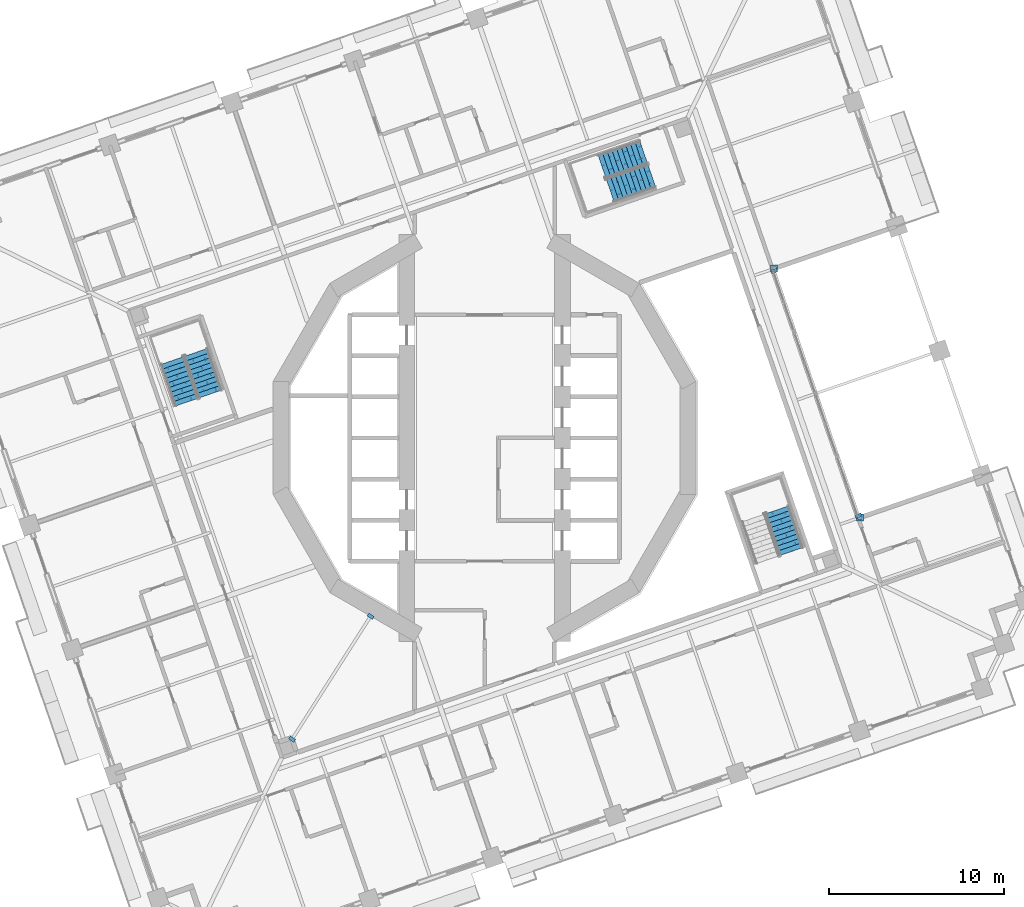
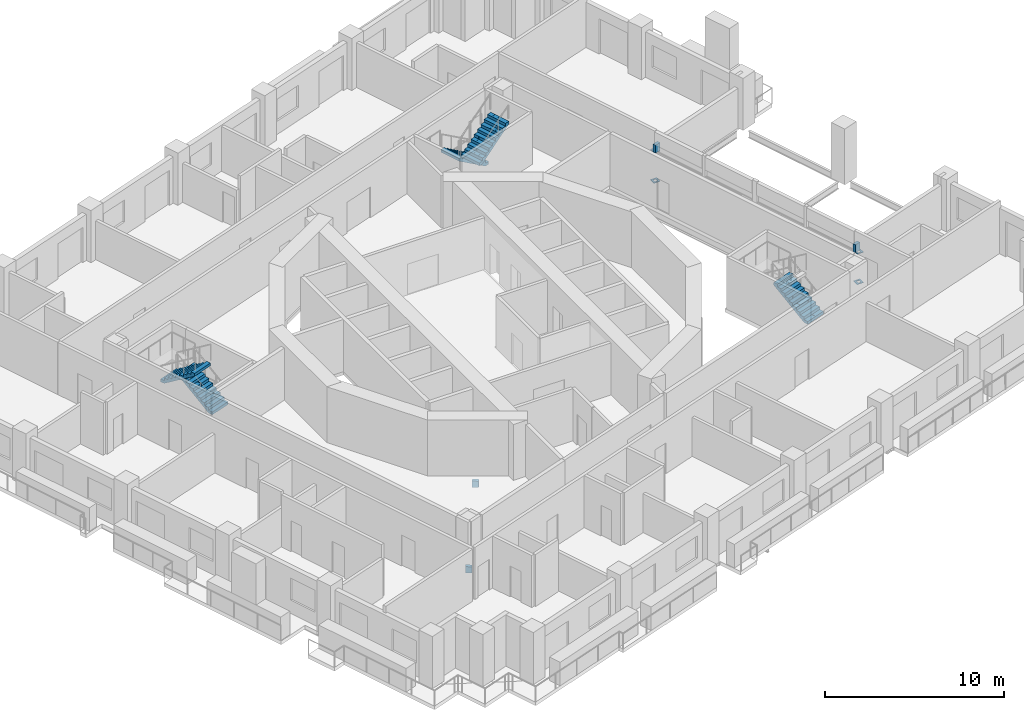
# One storey, part 14 of 21: 8 discrete accessories, 5 stair flights, 3 elements without a shape of their own.
"""IFC4 building model written with IfcOpenShell, lengths in metres."""

from ifc_helpers import new_model, si_unit, direction, frame, origin, place, context, subcontext, project, spatial, polyline, outline, extrude, material, layer, layer_set, type_object, element, aggregate, save


model = new_model("IFC4")

# Units and contexts
model_context = context("Model", 3, precision=1e-05, world=origin(), true_north=direction((0.0, 1.0)))
body_context = subcontext(model_context, "Body", "Model", "MODEL_VIEW")
ifc_project = project(units=[si_unit("LENGTHUNIT", "METRE"), si_unit("AREAUNIT", "SQUARE_METRE"), si_unit("VOLUMEUNIT", "CUBIC_METRE"), si_unit("PLANEANGLEUNIT", "RADIAN"), si_unit("MASSUNIT", "GRAM", prefix="KILO")], contexts=[model_context])

# Site, building, storey
site_placement = place(None, origin())
site = spatial("IfcSite", under=ifc_project, at=site_placement, CompositionType="ELEMENT")
building_placement = place(site_placement, origin())
building = spatial("IfcBuilding", under=site, at=building_placement, Name="Cantera Rosa Tower", CompositionType="ELEMENT")
storey_placement = place(building_placement, frame((0.0, 0.0, 119.300048828125)))
storey = spatial("IfcBuildingStorey", under=building, at=storey_placement, Name="L24", CompositionType="ELEMENT", Elevation=119.300048828125)

# Stair, stair flights
ifc_material_1 = material(Name="Concrete C35/45", Category="concrete")
stair_type = type_object("IfcStairType", Name="EXIT STAIR 1350 DOGLEG", PredefinedType="HALF_TURN_STAIR", material=ifc_material_1)
stair_1_placement = place(storey_placement, origin())
stair_1 = element("IfcStair", 1, at=stair_1_placement, inside=storey, type_object=stair_type, Name="L24 ST-21", PredefinedType="HALF_TURN_STAIR")
ifc_material_2 = material(Name="Concrete C35/45", Category="concrete")
stair_flight_type = type_object("IfcStairFlightType", Name="STAIR FLIGHT 1350 R20x190", PredefinedType="STRAIGHT", material=ifc_material_2)
stair_flight_1_placement = place(storey_placement, frame((9.07958984375, 16.364990234375, 0.0), z_axis=(0.0, 0.0, 1.0), x_axis=(-0.945518575599, -0.325568154457, 0.0)))
stair_flight_1 = element("IfcStairFlight", 2, at=stair_flight_1_placement, type_object=stair_flight_type, Name="ST-21 flight 1", NumberOfRisers=10, NumberOfTreads=9, PredefinedType="STRAIGHT", RiserHeight=0.19, TreadLength=0.28, context=body_context, shape_type="SweptSolid", body=[
    extrude(outline(polyline([(0.0, 0.0), (0.0, 0.18994140625), (0.280029296875, 0.18994140625), (0.280029296875, 0.3798828125), (0.56005859375, 0.3798828125), (0.56005859375, 0.570068359375), (0.840087890625, 0.570068359375), (0.840087890625, 0.760009765625), (1.1201171875, 0.760009765625), (1.1201171875, 0.949951171875), (1.39990234375, 0.949951171875), (1.39990234375, 1.139892578125), (1.679931640625, 1.139892578125), (1.679931640625, 1.330078125), (1.9599609375, 1.330078125), (1.9599609375, 1.52001953125), (2.239990234375, 1.52001953125), (2.239990234375, 1.7099609375), (2.52001953125, 1.7099609375), (2.52001953125, 1.89990234375), (2.52001953125, 1.52880859375), (0.266845703125, 0.0), (0.0, 0.0)])), frame((0.0, 0.675048828125, 0.0), z_axis=(0.0, -1.0, 0.0), x_axis=(1.0, 0.0, 0.0)), (0.0, 0.0, 1.0), 0.3359375),
    extrude(outline(polyline([(0.0, 0.0), (0.0, 0.18994140625), (0.280029296875, 0.18994140625), (0.280029296875, 0.3798828125), (0.56005859375, 0.3798828125), (0.56005859375, 0.570068359375), (0.840087890625, 0.570068359375), (0.840087890625, 0.760009765625), (1.1201171875, 0.760009765625), (1.1201171875, 0.949951171875), (1.39990234375, 0.949951171875), (1.39990234375, 1.139892578125), (1.679931640625, 1.139892578125), (1.679931640625, 1.330078125), (1.9599609375, 1.330078125), (1.9599609375, 1.52001953125), (2.239990234375, 1.52001953125), (2.239990234375, 1.7099609375), (2.52001953125, 1.7099609375), (2.52001953125, 1.89990234375), (2.52001953125, 1.52880859375), (0.266845703125, 0.0), (0.0, 0.0)])), frame((0.0, 0.337158203125, 0.0), z_axis=(0.0, -1.0, 0.0), x_axis=(1.0, 0.0, 0.0)), (0.0, 0.0, 1.0), 0.3359375),
    extrude(outline(polyline([(0.0, 0.0), (0.0, 0.18994140625), (0.280029296875, 0.18994140625), (0.280029296875, 0.3798828125), (0.56005859375, 0.3798828125), (0.56005859375, 0.570068359375), (0.840087890625, 0.570068359375), (0.840087890625, 0.760009765625), (1.1201171875, 0.760009765625), (1.1201171875, 0.949951171875), (1.39990234375, 0.949951171875), (1.39990234375, 1.139892578125), (1.679931640625, 1.139892578125), (1.679931640625, 1.330078125), (1.9599609375, 1.330078125), (1.9599609375, 1.52001953125), (2.239990234375, 1.52001953125), (2.239990234375, 1.7099609375), (2.52001953125, 1.7099609375), (2.52001953125, 1.89990234375), (2.52001953125, 1.52880859375), (0.266845703125, 0.0), (0.0, 0.0)])), frame((0.0, -0.000732421875, 0.0), z_axis=(0.0, -1.0, 0.0), x_axis=(1.0, 0.0, 0.0)), (0.0, 0.0, 1.0), 0.3359375),
    extrude(outline(polyline([(0.0, 0.0), (0.0, 0.18994140625), (0.280029296875, 0.18994140625), (0.280029296875, 0.3798828125), (0.56005859375, 0.3798828125), (0.56005859375, 0.570068359375), (0.840087890625, 0.570068359375), (0.840087890625, 0.760009765625), (1.1201171875, 0.760009765625), (1.1201171875, 0.949951171875), (1.39990234375, 0.949951171875), (1.39990234375, 1.139892578125), (1.679931640625, 1.139892578125), (1.679931640625, 1.330078125), (1.9599609375, 1.330078125), (1.9599609375, 1.52001953125), (2.239990234375, 1.52001953125), (2.239990234375, 1.7099609375), (2.52001953125, 1.7099609375), (2.52001953125, 1.89990234375), (2.52001953125, 1.52880859375), (0.266845703125, 0.0), (0.0, 0.0)])), frame((0.0, -0.338623046875, 0.0), z_axis=(0.0, -1.0, 0.0), x_axis=(1.0, 0.0, 0.0)), (0.0, 0.0, 1.0), 0.3359375),
])
stair_flight_2_placement = place(storey_placement, frame((7.185302734375, 14.126220703125, 1.89990234375), z_axis=(0.0, 0.0, 1.0), x_axis=(0.945518575599, 0.325568154457, 0.0)))
stair_flight_2 = element("IfcStairFlight", 3, at=stair_flight_2_placement, type_object=stair_flight_type, Name="ST-21 flight 2", NumberOfRisers=10, NumberOfTreads=9, PredefinedType="STRAIGHT", RiserHeight=0.19, TreadLength=0.28, context=body_context, shape_type="SweptSolid", body=[
    extrude(outline(polyline([(0.0, 0.0), (0.0, 0.18994140625), (0.280029296875, 0.18994140625), (0.280029296875, 0.3798828125), (0.56005859375, 0.3798828125), (0.56005859375, 0.570068359375), (0.840087890625, 0.570068359375), (0.840087890625, 0.760009765625), (1.1201171875, 0.760009765625), (1.1201171875, 0.949951171875), (1.39990234375, 0.949951171875), (1.39990234375, 1.139892578125), (1.679931640625, 1.139892578125), (1.679931640625, 1.330078125), (1.9599609375, 1.330078125), (1.9599609375, 1.52001953125), (2.239990234375, 1.52001953125), (2.239990234375, 1.7099609375), (2.52001953125, 1.7099609375), (2.52001953125, 1.89990234375), (2.52001953125, 1.52880859375), (0.266845703125, 0.0), (0.0, 0.0)])), frame((0.0, 0.675048828125, 0.0), z_axis=(0.0, -1.0, 0.0), x_axis=(1.0, 0.0, 0.0)), (0.0, 0.0, 1.0), 0.3359375),
    extrude(outline(polyline([(0.0, 0.0), (0.0, 0.18994140625), (0.280029296875, 0.18994140625), (0.280029296875, 0.3798828125), (0.56005859375, 0.3798828125), (0.56005859375, 0.570068359375), (0.840087890625, 0.570068359375), (0.840087890625, 0.760009765625), (1.1201171875, 0.760009765625), (1.1201171875, 0.949951171875), (1.39990234375, 0.949951171875), (1.39990234375, 1.139892578125), (1.679931640625, 1.139892578125), (1.679931640625, 1.330078125), (1.9599609375, 1.330078125), (1.9599609375, 1.52001953125), (2.239990234375, 1.52001953125), (2.239990234375, 1.7099609375), (2.52001953125, 1.7099609375), (2.52001953125, 1.89990234375), (2.52001953125, 1.52880859375), (0.266845703125, 0.0), (0.0, 0.0)])), frame((0.0, 0.337158203125, 0.0), z_axis=(0.0, -1.0, 0.0), x_axis=(1.0, 0.0, 0.0)), (0.0, 0.0, 1.0), 0.3359375),
    extrude(outline(polyline([(0.0, 0.0), (0.0, 0.18994140625), (0.280029296875, 0.18994140625), (0.280029296875, 0.3798828125), (0.56005859375, 0.3798828125), (0.56005859375, 0.570068359375), (0.840087890625, 0.570068359375), (0.840087890625, 0.760009765625), (1.1201171875, 0.760009765625), (1.1201171875, 0.949951171875), (1.39990234375, 0.949951171875), (1.39990234375, 1.139892578125), (1.679931640625, 1.139892578125), (1.679931640625, 1.330078125), (1.9599609375, 1.330078125), (1.9599609375, 1.52001953125), (2.239990234375, 1.52001953125), (2.239990234375, 1.7099609375), (2.52001953125, 1.7099609375), (2.52001953125, 1.89990234375), (2.52001953125, 1.52880859375), (0.266845703125, 0.0), (0.0, 0.0)])), frame((0.0, -0.000732421875, 0.0), z_axis=(0.0, -1.0, 0.0), x_axis=(1.0, 0.0, 0.0)), (0.0, 0.0, 1.0), 0.3359375),
    extrude(outline(polyline([(0.0, 0.0), (0.0, 0.18994140625), (0.280029296875, 0.18994140625), (0.280029296875, 0.3798828125), (0.56005859375, 0.3798828125), (0.56005859375, 0.570068359375), (0.840087890625, 0.570068359375), (0.840087890625, 0.760009765625), (1.1201171875, 0.760009765625), (1.1201171875, 0.949951171875), (1.39990234375, 0.949951171875), (1.39990234375, 1.139892578125), (1.679931640625, 1.139892578125), (1.679931640625, 1.330078125), (1.9599609375, 1.330078125), (1.9599609375, 1.52001953125), (2.239990234375, 1.52001953125), (2.239990234375, 1.7099609375), (2.52001953125, 1.7099609375), (2.52001953125, 1.89990234375), (2.52001953125, 1.52880859375), (0.266845703125, 0.0), (0.0, 0.0)])), frame((0.0, -0.338623046875, 0.0), z_axis=(0.0, -1.0, 0.0), x_axis=(1.0, 0.0, 0.0)), (0.0, 0.0, 1.0), 0.3359375),
])
aggregate(stair_1, [stair_flight_1, stair_flight_2])

stair_2_placement = place(storey_placement, origin())
stair_2 = element("IfcStair", 4, at=stair_2_placement, inside=storey, type_object=stair_type, Name="L24 ST-22", PredefinedType="HALF_TURN_STAIR")
stair_flight_3_placement = place(storey_placement, frame((-15.635009765625, 2.5205078125, 0.0), z_axis=(0.0, 0.0, 1.0), x_axis=(-0.325568154457, 0.945518575599, 0.0)))
stair_flight_3 = element("IfcStairFlight", 5, at=stair_flight_3_placement, type_object=stair_flight_type, Name="ST-22 flight 1", NumberOfRisers=10, NumberOfTreads=9, PredefinedType="STRAIGHT", RiserHeight=0.19, TreadLength=0.28, context=body_context, shape_type="SweptSolid", body=[
    extrude(outline(polyline([(0.0, 0.0), (0.0, 0.18994140625), (0.280029296875, 0.18994140625), (0.280029296875, 0.3798828125), (0.56005859375, 0.3798828125), (0.56005859375, 0.570068359375), (0.840087890625, 0.570068359375), (0.840087890625, 0.760009765625), (1.1201171875, 0.760009765625), (1.1201171875, 0.949951171875), (1.39990234375, 0.949951171875), (1.39990234375, 1.139892578125), (1.679931640625, 1.139892578125), (1.679931640625, 1.330078125), (1.9599609375, 1.330078125), (1.9599609375, 1.52001953125), (2.239990234375, 1.52001953125), (2.239990234375, 1.7099609375), (2.52001953125, 1.7099609375), (2.52001953125, 1.89990234375), (2.52001953125, 1.52880859375), (0.266845703125, 0.0), (0.0, 0.0)])), frame((0.0, 0.675048828125, 0.0), z_axis=(0.0, -1.0, 0.0), x_axis=(1.0, 0.0, 0.0)), (0.0, 0.0, 1.0), 0.3359375),
    extrude(outline(polyline([(0.0, 0.0), (0.0, 0.18994140625), (0.280029296875, 0.18994140625), (0.280029296875, 0.3798828125), (0.56005859375, 0.3798828125), (0.56005859375, 0.570068359375), (0.840087890625, 0.570068359375), (0.840087890625, 0.760009765625), (1.1201171875, 0.760009765625), (1.1201171875, 0.949951171875), (1.39990234375, 0.949951171875), (1.39990234375, 1.139892578125), (1.679931640625, 1.139892578125), (1.679931640625, 1.330078125), (1.9599609375, 1.330078125), (1.9599609375, 1.52001953125), (2.239990234375, 1.52001953125), (2.239990234375, 1.7099609375), (2.52001953125, 1.7099609375), (2.52001953125, 1.89990234375), (2.52001953125, 1.52880859375), (0.266845703125, 0.0), (0.0, 0.0)])), frame((0.0, 0.337158203125, 0.0), z_axis=(0.0, -1.0, 0.0), x_axis=(1.0, 0.0, 0.0)), (0.0, 0.0, 1.0), 0.3359375),
    extrude(outline(polyline([(0.0, 0.0), (0.0, 0.18994140625), (0.280029296875, 0.18994140625), (0.280029296875, 0.3798828125), (0.56005859375, 0.3798828125), (0.56005859375, 0.570068359375), (0.840087890625, 0.570068359375), (0.840087890625, 0.760009765625), (1.1201171875, 0.760009765625), (1.1201171875, 0.949951171875), (1.39990234375, 0.949951171875), (1.39990234375, 1.139892578125), (1.679931640625, 1.139892578125), (1.679931640625, 1.330078125), (1.9599609375, 1.330078125), (1.9599609375, 1.52001953125), (2.239990234375, 1.52001953125), (2.239990234375, 1.7099609375), (2.52001953125, 1.7099609375), (2.52001953125, 1.89990234375), (2.52001953125, 1.52880859375), (0.266845703125, 0.0), (0.0, 0.0)])), frame((0.0, -0.000732421875, 0.0), z_axis=(0.0, -1.0, 0.0), x_axis=(1.0, 0.0, 0.0)), (0.0, 0.0, 1.0), 0.3359375),
    extrude(outline(polyline([(0.0, 0.0), (0.0, 0.18994140625), (0.280029296875, 0.18994140625), (0.280029296875, 0.3798828125), (0.56005859375, 0.3798828125), (0.56005859375, 0.570068359375), (0.840087890625, 0.570068359375), (0.840087890625, 0.760009765625), (1.1201171875, 0.760009765625), (1.1201171875, 0.949951171875), (1.39990234375, 0.949951171875), (1.39990234375, 1.139892578125), (1.679931640625, 1.139892578125), (1.679931640625, 1.330078125), (1.9599609375, 1.330078125), (1.9599609375, 1.52001953125), (2.239990234375, 1.52001953125), (2.239990234375, 1.7099609375), (2.52001953125, 1.7099609375), (2.52001953125, 1.89990234375), (2.52001953125, 1.52880859375), (0.266845703125, 0.0), (0.0, 0.0)])), frame((0.0, -0.338623046875, 0.0), z_axis=(0.0, -1.0, 0.0), x_axis=(1.0, 0.0, 0.0)), (0.0, 0.0, 1.0), 0.3359375),
])
stair_flight_4_placement = place(storey_placement, frame((-17.873779296875, 4.414794921875, 1.89990234375), z_axis=(0.0, 0.0, 1.0), x_axis=(0.325568154457, -0.945518575599, 0.0)))
stair_flight_4 = element("IfcStairFlight", 6, at=stair_flight_4_placement, type_object=stair_flight_type, Name="ST-22 flight 2", NumberOfRisers=10, NumberOfTreads=9, PredefinedType="STRAIGHT", RiserHeight=0.19, TreadLength=0.28, context=body_context, shape_type="SweptSolid", body=[
    extrude(outline(polyline([(0.0, 0.0), (0.0, 0.18994140625), (0.280029296875, 0.18994140625), (0.280029296875, 0.3798828125), (0.56005859375, 0.3798828125), (0.56005859375, 0.570068359375), (0.840087890625, 0.570068359375), (0.840087890625, 0.760009765625), (1.1201171875, 0.760009765625), (1.1201171875, 0.949951171875), (1.39990234375, 0.949951171875), (1.39990234375, 1.139892578125), (1.679931640625, 1.139892578125), (1.679931640625, 1.330078125), (1.9599609375, 1.330078125), (1.9599609375, 1.52001953125), (2.239990234375, 1.52001953125), (2.239990234375, 1.7099609375), (2.52001953125, 1.7099609375), (2.52001953125, 1.89990234375), (2.52001953125, 1.52880859375), (0.266845703125, 0.0), (0.0, 0.0)])), frame((0.0, 0.675048828125, 0.0), z_axis=(0.0, -1.0, 0.0), x_axis=(1.0, 0.0, 0.0)), (0.0, 0.0, 1.0), 0.3359375),
    extrude(outline(polyline([(0.0, 0.0), (0.0, 0.18994140625), (0.280029296875, 0.18994140625), (0.280029296875, 0.3798828125), (0.56005859375, 0.3798828125), (0.56005859375, 0.570068359375), (0.840087890625, 0.570068359375), (0.840087890625, 0.760009765625), (1.1201171875, 0.760009765625), (1.1201171875, 0.949951171875), (1.39990234375, 0.949951171875), (1.39990234375, 1.139892578125), (1.679931640625, 1.139892578125), (1.679931640625, 1.330078125), (1.9599609375, 1.330078125), (1.9599609375, 1.52001953125), (2.239990234375, 1.52001953125), (2.239990234375, 1.7099609375), (2.52001953125, 1.7099609375), (2.52001953125, 1.89990234375), (2.52001953125, 1.52880859375), (0.266845703125, 0.0), (0.0, 0.0)])), frame((0.0, 0.337158203125, 0.0), z_axis=(0.0, -1.0, 0.0), x_axis=(1.0, 0.0, 0.0)), (0.0, 0.0, 1.0), 0.3359375),
    extrude(outline(polyline([(0.0, 0.0), (0.0, 0.18994140625), (0.280029296875, 0.18994140625), (0.280029296875, 0.3798828125), (0.56005859375, 0.3798828125), (0.56005859375, 0.570068359375), (0.840087890625, 0.570068359375), (0.840087890625, 0.760009765625), (1.1201171875, 0.760009765625), (1.1201171875, 0.949951171875), (1.39990234375, 0.949951171875), (1.39990234375, 1.139892578125), (1.679931640625, 1.139892578125), (1.679931640625, 1.330078125), (1.9599609375, 1.330078125), (1.9599609375, 1.52001953125), (2.239990234375, 1.52001953125), (2.239990234375, 1.7099609375), (2.52001953125, 1.7099609375), (2.52001953125, 1.89990234375), (2.52001953125, 1.52880859375), (0.266845703125, 0.0), (0.0, 0.0)])), frame((0.0, -0.000732421875, 0.0), z_axis=(0.0, -1.0, 0.0), x_axis=(1.0, 0.0, 0.0)), (0.0, 0.0, 1.0), 0.3359375),
    extrude(outline(polyline([(0.0, 0.0), (0.0, 0.18994140625), (0.280029296875, 0.18994140625), (0.280029296875, 0.3798828125), (0.56005859375, 0.3798828125), (0.56005859375, 0.570068359375), (0.840087890625, 0.570068359375), (0.840087890625, 0.760009765625), (1.1201171875, 0.760009765625), (1.1201171875, 0.949951171875), (1.39990234375, 0.949951171875), (1.39990234375, 1.139892578125), (1.679931640625, 1.139892578125), (1.679931640625, 1.330078125), (1.9599609375, 1.330078125), (1.9599609375, 1.52001953125), (2.239990234375, 1.52001953125), (2.239990234375, 1.7099609375), (2.52001953125, 1.7099609375), (2.52001953125, 1.89990234375), (2.52001953125, 1.52880859375), (0.266845703125, 0.0), (0.0, 0.0)])), frame((0.0, -0.338623046875, 0.0), z_axis=(0.0, -1.0, 0.0), x_axis=(1.0, 0.0, 0.0)), (0.0, 0.0, 1.0), 0.3359375),
])
aggregate(stair_2, [stair_flight_3, stair_flight_4])

# Stair, stair flight
stair_3_placement = place(storey_placement, origin())
stair_3 = element("IfcStair", 7, at=stair_3_placement, inside=storey, type_object=stair_type, Name="L24 ST-23", PredefinedType="HALF_TURN_STAIR")
stair_flight_5_placement = place(storey_placement, frame((17.56494140625, -6.4794921875, 0.0), z_axis=(0.0, 0.0, 1.0), x_axis=(-0.325568154457, 0.945518575599, 0.0)))
stair_flight_5 = element("IfcStairFlight", 8, at=stair_flight_5_placement, type_object=stair_flight_type, Name="ST-23 flight 1", NumberOfRisers=10, NumberOfTreads=9, PredefinedType="STRAIGHT", RiserHeight=0.19, TreadLength=0.28, context=body_context, shape_type="SweptSolid", body=[
    extrude(outline(polyline([(0.0, 0.0), (0.0, 0.18994140625), (0.280029296875, 0.18994140625), (0.280029296875, 0.3798828125), (0.56005859375, 0.3798828125), (0.56005859375, 0.570068359375), (0.840087890625, 0.570068359375), (0.840087890625, 0.760009765625), (1.1201171875, 0.760009765625), (1.1201171875, 0.949951171875), (1.39990234375, 0.949951171875), (1.39990234375, 1.139892578125), (1.679931640625, 1.139892578125), (1.679931640625, 1.330078125), (1.9599609375, 1.330078125), (1.9599609375, 1.52001953125), (2.239990234375, 1.52001953125), (2.239990234375, 1.7099609375), (2.52001953125, 1.7099609375), (2.52001953125, 1.89990234375), (2.52001953125, 1.52880859375), (0.266845703125, 0.0), (0.0, 0.0)])), frame((0.0, 0.675048828125, 0.0), z_axis=(0.0, -1.0, 0.0), x_axis=(1.0, 0.0, 0.0)), (0.0, 0.0, 1.0), 0.3359375),
    extrude(outline(polyline([(0.0, 0.0), (0.0, 0.18994140625), (0.280029296875, 0.18994140625), (0.280029296875, 0.3798828125), (0.56005859375, 0.3798828125), (0.56005859375, 0.570068359375), (0.840087890625, 0.570068359375), (0.840087890625, 0.760009765625), (1.1201171875, 0.760009765625), (1.1201171875, 0.949951171875), (1.39990234375, 0.949951171875), (1.39990234375, 1.139892578125), (1.679931640625, 1.139892578125), (1.679931640625, 1.330078125), (1.9599609375, 1.330078125), (1.9599609375, 1.52001953125), (2.239990234375, 1.52001953125), (2.239990234375, 1.7099609375), (2.52001953125, 1.7099609375), (2.52001953125, 1.89990234375), (2.52001953125, 1.52880859375), (0.266845703125, 0.0), (0.0, 0.0)])), frame((0.0, 0.337158203125, 0.0), z_axis=(0.0, -1.0, 0.0), x_axis=(1.0, 0.0, 0.0)), (0.0, 0.0, 1.0), 0.3359375),
    extrude(outline(polyline([(0.0, 0.0), (0.0, 0.18994140625), (0.280029296875, 0.18994140625), (0.280029296875, 0.3798828125), (0.56005859375, 0.3798828125), (0.56005859375, 0.570068359375), (0.840087890625, 0.570068359375), (0.840087890625, 0.760009765625), (1.1201171875, 0.760009765625), (1.1201171875, 0.949951171875), (1.39990234375, 0.949951171875), (1.39990234375, 1.139892578125), (1.679931640625, 1.139892578125), (1.679931640625, 1.330078125), (1.9599609375, 1.330078125), (1.9599609375, 1.52001953125), (2.239990234375, 1.52001953125), (2.239990234375, 1.7099609375), (2.52001953125, 1.7099609375), (2.52001953125, 1.89990234375), (2.52001953125, 1.52880859375), (0.266845703125, 0.0), (0.0, 0.0)])), frame((0.0, -0.000732421875, 0.0), z_axis=(0.0, -1.0, 0.0), x_axis=(1.0, 0.0, 0.0)), (0.0, 0.0, 1.0), 0.3359375),
    extrude(outline(polyline([(0.0, 0.0), (0.0, 0.18994140625), (0.280029296875, 0.18994140625), (0.280029296875, 0.3798828125), (0.56005859375, 0.3798828125), (0.56005859375, 0.570068359375), (0.840087890625, 0.570068359375), (0.840087890625, 0.760009765625), (1.1201171875, 0.760009765625), (1.1201171875, 0.949951171875), (1.39990234375, 0.949951171875), (1.39990234375, 1.139892578125), (1.679931640625, 1.139892578125), (1.679931640625, 1.330078125), (1.9599609375, 1.330078125), (1.9599609375, 1.52001953125), (2.239990234375, 1.52001953125), (2.239990234375, 1.7099609375), (2.52001953125, 1.7099609375), (2.52001953125, 1.89990234375), (2.52001953125, 1.52880859375), (0.266845703125, 0.0), (0.0, 0.0)])), frame((0.0, -0.338623046875, 0.0), z_axis=(0.0, -1.0, 0.0), x_axis=(1.0, 0.0, 0.0)), (0.0, 0.0, 1.0), 0.3359375),
])
aggregate(stair_3, [stair_flight_5])

# Discrete accessories
ifc_material_3 = material(Name="Steel ASTM A992 (Fy 345 MPa)", Category="steel")
ifc_layer = layer(ifc_material_3, 0.0400390625)
ifc_layer_set = layer_set([ifc_layer], Name="STEEL BEARING PLATE 40")
discrete_accessory_type = type_object("IfcDiscreteAccessoryType", Name="STEEL BEARING PLATE 40", PredefinedType="ANCHORPLATE", material=ifc_layer_set)
discrete_accessory_1_placement = place(storey_placement, frame((0.0, 0.0, -0.72802734375)))
element("IfcDiscreteAccessory", 9, at=discrete_accessory_1_placement, inside=storey, type_object=discrete_accessory_type, Name="BEARING PLATE PG-Z2-01 end 1 L24", PredefinedType="ANCHORPLATE", context=body_context, shape_type="SweptSolid", body=[
    extrude(outline(polyline([(-11.09619140625, -17.02783203125), (-11.203857421875, -17.1962890625), (-10.8955078125, -17.393310546875), (-10.787841796875, -17.224853515625), (-11.09619140625, -17.02783203125)])), origin(), (0.0, 0.0, 1.0), 0.427978515625),
])
discrete_accessory_2_placement = place(storey_placement, frame((0.0, 0.0, -0.72802734375)))
element("IfcDiscreteAccessory", 10, at=discrete_accessory_2_placement, inside=storey, type_object=discrete_accessory_type, Name="BEARING PLATE PG-Z2-01 end 2 L24", PredefinedType="ANCHORPLATE", context=body_context, shape_type="SweptSolid", body=[
    extrude(outline(polyline([(-6.40673828125, -10.367919921875), (-6.29931640625, -10.19921875), (-6.607666015625, -10.002197265625), (-6.71533203125, -10.170654296875), (-6.40673828125, -10.367919921875)])), origin(), (0.0, 0.0, 1.0), 0.427978515625),
])
for number, where, name in (
    (11, (0.0, 0.0, 0.0), "POST PLATE L24-1F"),
    (12, (0.0, 0.0, 2.06591796875), "POST PLATE L24-1T"),
):
    element("IfcDiscreteAccessory", number, at=place(storey_placement, frame(where)), inside=storey, type_object=discrete_accessory_type, Name=name, PredefinedType="ANCHORPLATE", context=body_context, shape_type="SweptSolid", body=[
        extrude(outline(polyline([(21.248291015625, -4.744873046875), (21.648193359375, -4.744873046875), (21.648193359375, -4.3447265625), (21.248291015625, -4.3447265625), (21.248291015625, -4.744873046875)]), holes=[polyline([(21.34814453125, -4.644775390625), (21.548095703125, -4.644775390625), (21.548095703125, -4.44482421875), (21.34814453125, -4.44482421875), (21.34814453125, -4.644775390625)])]), origin(), (0.0, 0.0, 1.0), 0.0400390625),
    ])
for number, where, name in (
    (13, (0.0, 0.0, 0.0), "POST PLATE L24-2F"),
    (14, (0.0, 0.0, 2.06591796875), "POST PLATE L24-2T"),
):
    element("IfcDiscreteAccessory", number, at=place(storey_placement, frame(where)), inside=storey, type_object=discrete_accessory_type, Name=name, PredefinedType="ANCHORPLATE", context=body_context, shape_type="SweptSolid", body=[
        extrude(outline(polyline([(16.3515625, 9.475830078125), (16.751708984375, 9.475830078125), (16.751708984375, 9.875732421875), (16.3515625, 9.875732421875), (16.3515625, 9.475830078125)]), holes=[polyline([(16.45166015625, 9.57568359375), (16.651611328125, 9.57568359375), (16.651611328125, 9.77587890625), (16.45166015625, 9.77587890625), (16.45166015625, 9.57568359375)])]), origin(), (0.0, 0.0, 1.0), 0.0400390625),
    ])
discrete_accessory_3_placement = place(storey_placement, frame((0.0, 0.0, 2.10595703125)))
element("IfcDiscreteAccessory", 15, at=discrete_accessory_3_placement, inside=storey, type_object=discrete_accessory_type, Name="LINTEL PLATE L24-1", PredefinedType="ANCHORPLATE", context=body_context, shape_type="SweptSolid", body=[
    extrude(outline(polyline([(21.154541015625, -4.407958984375), (21.2197265625, -4.596923828125), (21.56591796875, -4.477783203125), (21.500732421875, -4.288818359375), (21.154541015625, -4.407958984375)])), origin(), (0.0, 0.0, 1.0), 0.528076171875),
])
discrete_accessory_4_placement = place(storey_placement, frame((0.0, 0.0, 2.10595703125)))
element("IfcDiscreteAccessory", 16, at=discrete_accessory_4_placement, inside=storey, type_object=discrete_accessory_type, Name="LINTEL PLATE L24-2", PredefinedType="ANCHORPLATE", context=body_context, shape_type="SweptSolid", body=[
    extrude(outline(polyline([(16.75048828125, 9.50634765625), (16.685546875, 9.695556640625), (16.33935546875, 9.576416015625), (16.404541015625, 9.38720703125), (16.75048828125, 9.50634765625)])), origin(), (0.0, 0.0, 1.0), 0.528076171875),
])

save(model, "model.ifc")
